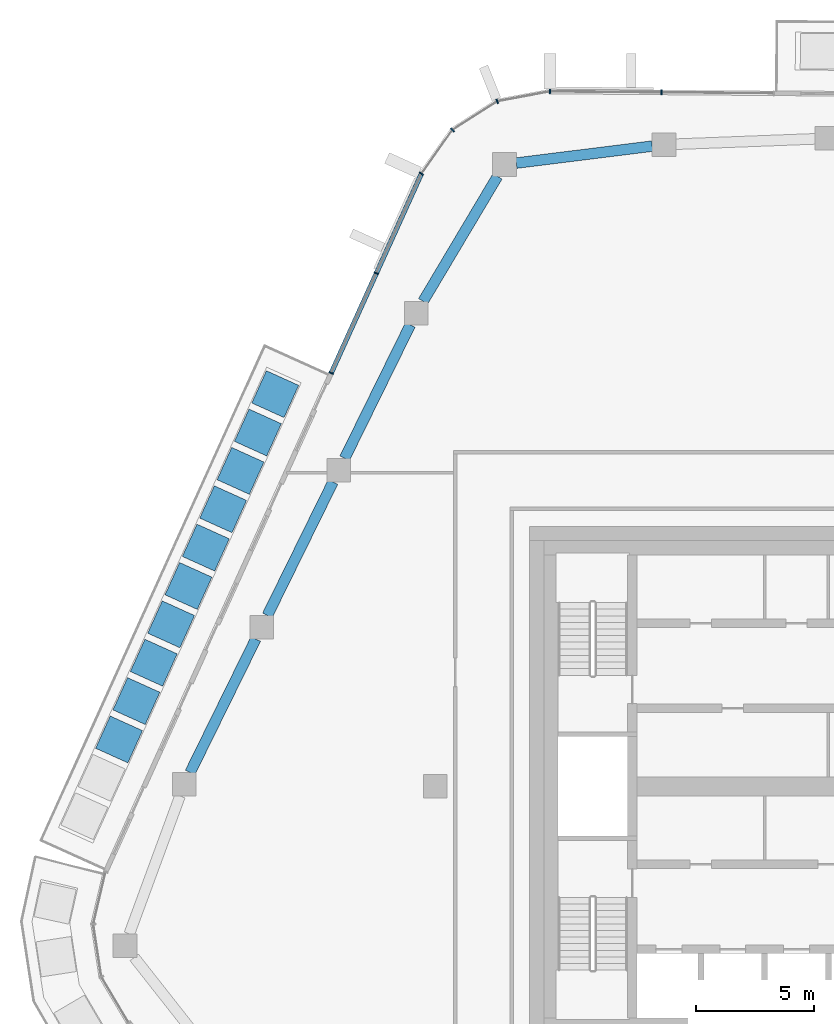
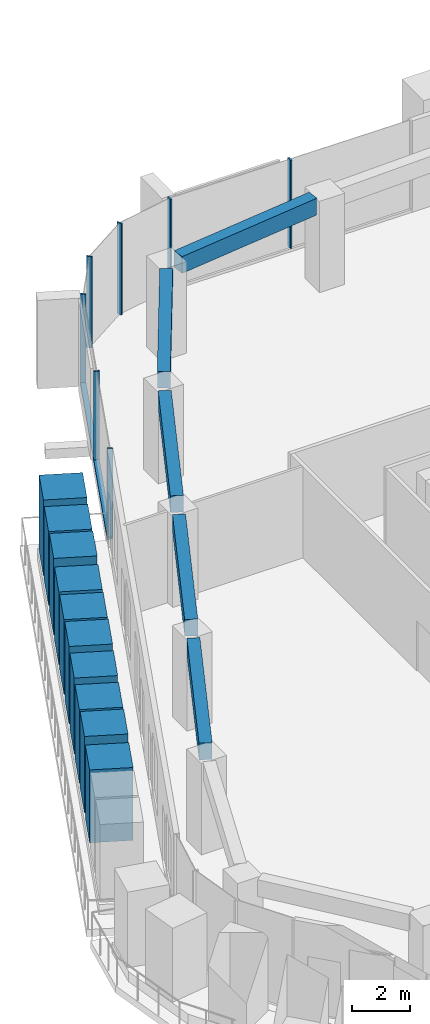
# One storey, part 6 of 23: 18 members, 5 beams, 3 elements without a shape of their own.
"""IFC4 building model written with IfcOpenShell, lengths in metres."""

from ifc_helpers import new_model, si_unit, direction, frame, origin, origin_2d, place, context, subcontext, project, spatial, rectangle, extrude, material, layer, layer_set, material_profile, profile_set, type_object, element, aggregate, save


model = new_model("IFC4")

# Units and contexts
model_context = context("Model", 3, precision=1e-05, world=origin(), true_north=direction((0.0, 1.0)))
body_context = subcontext(model_context, "Body", "Model", "MODEL_VIEW")
ifc_project = project(units=[si_unit("LENGTHUNIT", "METRE"), si_unit("AREAUNIT", "SQUARE_METRE"), si_unit("VOLUMEUNIT", "CUBIC_METRE"), si_unit("PLANEANGLEUNIT", "RADIAN"), si_unit("MASSUNIT", "GRAM", prefix="KILO")], contexts=[model_context])

# Site, building, storey
site_placement = place(None, origin())
site = spatial("IfcSite", under=ifc_project, at=site_placement, CompositionType="ELEMENT")
building_placement = place(site_placement, origin())
building = spatial("IfcBuilding", under=site, at=building_placement, Name="Dongbaek Canopy Tower", CompositionType="ELEMENT")
storey_placement = place(building_placement, frame((0.0, 0.0, 323.60009765625)))
storey = spatial("IfcBuildingStorey", under=building, at=storey_placement, Name="L69", CompositionType="ELEMENT", Elevation=323.60009765625)

# Curtain wall, members
ifc_material_1 = material(Name="Aluminium 6063-T6 pale anodised", Category="aluminium")
ifc_layer = layer(ifc_material_1, 0.199951171875)
ifc_layer_set = layer_set([ifc_layer], Name="CW-1 unitised tower curtain wall")
curtain_wall_type = type_object("IfcCurtainWallType", Name="CW-1 unitised tower curtain wall", PredefinedType="NOTDEFINED", material=ifc_layer_set)
curtain_wall_1_placement = place(storey_placement, origin())
curtain_wall_1 = element("IfcCurtainWall", 1, at=curtain_wall_1_placement, inside=storey, type_object=curtain_wall_type, Name="CW-1 curtain wall F1.1", PredefinedType="NOTDEFINED")
ifc_material_2 = material(Name="Aluminium 6063-T6 pale anodised", Category="aluminium")
ifc_material_profile_1 = material_profile(ifc_material_2, rectangle(XDim=0.199951171875, YDim=0.06005859375, at=origin_2d()), Name="CW-1 mullion 60 x 200")
ifc_profile_set_1 = profile_set([ifc_material_profile_1], Name="Aluminium 6063-T6 pale anodised")
member_type_1 = type_object("IfcMemberType", Name="CW-1 mullion 60 x 200", PredefinedType="MULLION", material=ifc_profile_set_1)
member_1_placement = place(storey_placement, frame((-8.4091796875, 29.378173828125, 0.119873046875), z_axis=(0.0, 0.0, 1.0), x_axis=(0.007781807363, 0.999969721279, 0.0)))
member_1 = element("IfcMember", 2, at=member_1_placement, type_object=member_type_1, Name="CW-1 mullion F1.1.2", PredefinedType="MULLION", context=body_context, shape_type="SweptSolid", body=[
    extrude(rectangle(XDim=0.199951171875, YDim=0.06005859375, at=origin_2d()), origin(), (0.0, 0.0, 1.0), 3.699951171875),
])
member_2_placement = place(storey_placement, frame((-13.144775390625, 29.4150390625, 0.119873046875), z_axis=(0.0, 0.0, 1.0), x_axis=(0.007781807363, 0.999969721279, 0.0)))
member_2 = element("IfcMember", 3, at=member_2_placement, type_object=member_type_1, Name="CW-1 mullion F1.1.3", PredefinedType="MULLION", context=body_context, shape_type="SweptSolid", body=[
    extrude(rectangle(XDim=0.199951171875, YDim=0.06005859375, at=origin_2d()), origin(), (0.0, 0.0, 1.0), 3.699951171875),
])
aggregate(curtain_wall_1, [member_1, member_2])

curtain_wall_2_placement = place(storey_placement, origin())
curtain_wall_2 = element("IfcCurtainWall", 4, at=curtain_wall_2_placement, inside=storey, type_object=curtain_wall_type, Name="CW-1 curtain wall K2.1", PredefinedType="NOTDEFINED")
member_3_placement = place(storey_placement, frame((-15.37060546875, 28.99951171875, 0.0), z_axis=(0.0, 0.0, 1.0), x_axis=(-0.367962491797, 0.929840633996, 0.0)))
member_3 = element("IfcMember", 5, at=member_3_placement, type_object=member_type_1, Name="CW-1 mullion K2.1.2", PredefinedType="MULLION", context=body_context, shape_type="SweptSolid", body=[
    extrude(rectangle(XDim=0.199951171875, YDim=0.06005859375, at=origin_2d()), origin(), (0.0, 0.0, 1.0), 3.81982421875),
])
member_4_placement = place(storey_placement, frame((-17.269775390625, 27.78466796875, 0.0), z_axis=(0.0, 0.0, 1.0), x_axis=(-0.689946783833, 0.723860093857, 0.0)))
member_4 = element("IfcMember", 6, at=member_4_placement, type_object=member_type_1, Name="CW-1 mullion K2.1.3", PredefinedType="MULLION", context=body_context, shape_type="SweptSolid", body=[
    extrude(rectangle(XDim=0.199951171875, YDim=0.06005859375, at=origin_2d()), origin(), (0.0, 0.0, 1.0), 3.81982421875),
])
member_5_placement = place(storey_placement, frame((-18.580078125, 25.93798828125, 0.0), z_axis=(0.0, 0.0, 1.0), x_axis=(-0.815570774444, 0.578657335452, 0.0)))
member_5 = element("IfcMember", 7, at=member_5_placement, type_object=member_type_1, Name="CW-1 mullion K2.1.4", PredefinedType="MULLION", context=body_context, shape_type="SweptSolid", body=[
    extrude(rectangle(XDim=0.199951171875, YDim=0.06005859375, at=origin_2d()), origin(), (0.0, 0.0, 1.0), 3.81982421875),
])
aggregate(curtain_wall_2, [member_3, member_4, member_5])

curtain_wall_3_placement = place(storey_placement, origin())
curtain_wall_3 = element("IfcCurtainWall", 8, at=curtain_wall_3_placement, inside=storey, type_object=curtain_wall_type, Name="CW-1 curtain wall F2.1", PredefinedType="NOTDEFINED")
member_6_placement = place(storey_placement, frame((-20.487548828125, 21.720947265625, 0.119873046875), z_axis=(0.0, 0.0, 1.0), x_axis=(-0.911128562459, 0.412122242389, 0.0)))
member_6 = element("IfcMember", 9, at=member_6_placement, type_object=member_type_1, Name="CW-1 mullion F2.1.2", PredefinedType="MULLION", context=body_context, shape_type="SweptSolid", body=[
    extrude(rectangle(XDim=0.199951171875, YDim=0.06005859375, at=origin_2d()), origin(), (0.0, 0.0, 1.0), 3.699951171875),
])
member_7_placement = place(storey_placement, frame((-22.39892578125, 17.4951171875, 0.119873046875), z_axis=(0.0, 0.0, 1.0), x_axis=(-0.911128562459, 0.412122242389, 0.0)))
member_7 = element("IfcMember", 10, at=member_7_placement, type_object=member_type_1, Name="CW-1 mullion F2.1.3", PredefinedType="MULLION", context=body_context, shape_type="SweptSolid", body=[
    extrude(rectangle(XDim=0.199951171875, YDim=0.06005859375, at=origin_2d()), origin(), (0.0, 0.0, 1.0), 3.699951171875),
])
ifc_material_3 = material(Name="Aluminium 6063-T6 pale anodised", Category="aluminium")
ifc_material_profile_2 = material_profile(ifc_material_3, rectangle(XDim=0.199951171875, YDim=0.1201171875, at=origin_2d()), Name="CW-1 transom 120 x 200")
ifc_profile_set_2 = profile_set([ifc_material_profile_2], Name="Aluminium 6063-T6 pale anodised")
member_type_2 = type_object("IfcMemberType", Name="CW-1 transom 120 x 200", PredefinedType="USERDEFINED", material=ifc_profile_set_2)
member_8_placement = place(storey_placement, frame((-18.580078125, 25.93798828125, 0.059814453125), z_axis=(-0.412118919736, -0.911130065356, 0.0), x_axis=(0.911130065356, -0.412118919736, 0.0)))
member_8 = element("IfcMember", 11, at=member_8_placement, type_object=member_type_2, Name="CW-1 transom F2.1.1", ObjectType="TRANSOM", PredefinedType="USERDEFINED", context=body_context, shape_type="SweptSolid", body=[
    extrude(rectangle(XDim=0.199951171875, YDim=0.1201171875, at=origin_2d()), origin(), (0.0, 0.0, 1.0), 9.266357421875),
])
aggregate(curtain_wall_3, [member_6, member_7, member_8])

# Beams
ifc_material_4 = material(Name="Concrete C60", Category="concrete")
ifc_material_profile_3 = material_profile(ifc_material_4, rectangle(XDim=0.449951171875, YDim=0.699951171875, at=origin_2d()), Name="RC EDGE BEAM 450x700 C60")
ifc_profile_set_3 = profile_set([ifc_material_profile_3], Name="Concrete C60")
beam_type = type_object("IfcBeamType", Name="RC EDGE BEAM 450x700 C60", PredefinedType="BEAM", material=ifc_profile_set_3)
for number, where, z_axis, x_axis, name in (
    (12, (-28.37109375, 0.5859375, 3.469970703125), (0.441293546446, 0.897362806152, 0.0), (-0.897362806152, 0.441293546446, 0.0), "EDGEBEAM:L69:09"),
    (13, (-25.10107421875, 7.235107421875, 3.469970703125), (0.441433810223, 0.897293815421, 0.0), (-0.897293815421, 0.441433810223, 0.0), "EDGEBEAM:L69:10"),
):
    element("IfcBeam", number, at=place(storey_placement, frame(where, z_axis=z_axis, x_axis=x_axis)), inside=storey, type_object=beam_type, Name=name, PredefinedType="BEAM", context=body_context, shape_type="SweptSolid", body=[
        extrude(rectangle(XDim=0.449951171875, YDim=0.699951171875, at=origin_2d()), origin(), (0.0, 0.0, 1.0), 6.29541015625),
    ])
beam_1_placement = place(storey_placement, frame((-21.830078125, 13.884033203125, 3.469970703125), z_axis=(0.441370345445, 0.897325034846, 0.0), x_axis=(-0.897325034846, 0.441370345445, 0.0)))
element("IfcBeam", 14, at=beam_1_placement, inside=storey, type_object=beam_type, Name="EDGEBEAM:L69:11", PredefinedType="BEAM", context=body_context, shape_type="SweptSolid", body=[
    extrude(rectangle(XDim=0.449951171875, YDim=0.699951171875, at=origin_2d()), origin(), (0.0, 0.0, 1.0), 6.294189453125),
])
beam_2_placement = place(storey_placement, frame((-18.50830078125, 20.531982421875, 3.469970703125), z_axis=(0.511535459107, 0.859262168419, 0.0), x_axis=(-0.859262168419, 0.511535459107, 0.0)))
element("IfcBeam", 15, at=beam_2_placement, inside=storey, type_object=beam_type, Name="EDGEBEAM:L69:12", PredefinedType="BEAM", context=body_context, shape_type="SweptSolid", body=[
    extrude(rectangle(XDim=0.449951171875, YDim=0.699951171875, at=origin_2d()), origin(), (0.0, 0.0, 1.0), 6.1552734375),
])
beam_3_placement = place(storey_placement, frame((-14.56201171875, 26.38330078125, 3.469970703125), z_axis=(0.992296006086, 0.123889613389, 0.0), x_axis=(-0.123889613389, 0.992296006086, 0.0)))
element("IfcBeam", 16, at=beam_3_placement, inside=storey, type_object=beam_type, Name="EDGEBEAM:L69:13", PredefinedType="BEAM", context=body_context, shape_type="SweptSolid", body=[
    extrude(rectangle(XDim=0.449951171875, YDim=0.699951171875, at=origin_2d()), origin(), (0.0, 0.0, 1.0), 5.797607421875),
])

# Members
ifc_material_5 = material(Name="Concrete C40/50 planter mass with planting", Category="concrete")
ifc_material_profile_4 = material_profile(ifc_material_5, rectangle(XDim=1.5, YDim=1.5, at=origin_2d()), Name="Terrace PLANTER shrub mass 1500 x 1500")
ifc_profile_set_4 = profile_set([ifc_material_profile_4], Name="Concrete C40/50 planter mass with planting")
member_type_3 = type_object("IfcMemberType", Name="Terrace PLANTER shrub mass 1500 x 1500", PredefinedType="USERDEFINED", material=ifc_profile_set_4)
member_9_placement = place(storey_placement, frame((-24.76806640625, 16.6005859375, 0.419921875), z_axis=(0.0, 0.0, 1.0), x_axis=(-0.911128562459, 0.412122242389, 0.0)))
element("IfcMember", 17, at=member_9_placement, inside=storey, type_object=member_type_3, Name="Planter shrubs L69 2.1", ObjectType="PLANTER", PredefinedType="USERDEFINED", context=body_context, shape_type="SweptSolid", body=[
    extrude(rectangle(XDim=1.5, YDim=1.5, at=origin_2d()), origin(), (0.0, 0.0, 1.0), 3.169921875),
])
member_10_placement = place(storey_placement, frame((-25.502685546875, 14.9765625, 0.419921875), z_axis=(0.0, 0.0, 1.0), x_axis=(-0.911128562459, 0.412122242389, 0.0)))
element("IfcMember", 18, at=member_10_placement, inside=storey, type_object=member_type_3, Name="Planter shrubs L69 2.2", ObjectType="PLANTER", PredefinedType="USERDEFINED", context=body_context, shape_type="SweptSolid", body=[
    extrude(rectangle(XDim=1.5, YDim=1.5, at=origin_2d()), origin(), (0.0, 0.0, 1.0), 3.090087890625),
])
member_11_placement = place(storey_placement, frame((-26.2373046875, 13.3525390625, 0.419921875), z_axis=(0.0, 0.0, 1.0), x_axis=(-0.911128562459, 0.412122242389, 0.0)))
element("IfcMember", 19, at=member_11_placement, inside=storey, type_object=member_type_3, Name="Planter shrubs L69 2.3", ObjectType="PLANTER", PredefinedType="USERDEFINED", context=body_context, shape_type="SweptSolid", body=[
    extrude(rectangle(XDim=1.5, YDim=1.5, at=origin_2d()), origin(), (0.0, 0.0, 1.0), 3.2099609375),
])
member_12_placement = place(storey_placement, frame((-26.971923828125, 11.728515625, 0.419921875), z_axis=(0.0, 0.0, 1.0), x_axis=(-0.911128562459, 0.412122242389, 0.0)))
element("IfcMember", 20, at=member_12_placement, inside=storey, type_object=member_type_3, Name="Planter shrubs L69 2.4", ObjectType="PLANTER", PredefinedType="USERDEFINED", context=body_context, shape_type="SweptSolid", body=[
    extrude(rectangle(XDim=1.5, YDim=1.5, at=origin_2d()), origin(), (0.0, 0.0, 1.0), 3.050048828125),
])
member_13_placement = place(storey_placement, frame((-27.70654296875, 10.104248046875, 0.419921875), z_axis=(0.0, 0.0, 1.0), x_axis=(-0.911128562459, 0.412122242389, 0.0)))
element("IfcMember", 21, at=member_13_placement, inside=storey, type_object=member_type_3, Name="Planter shrubs L69 2.5", ObjectType="PLANTER", PredefinedType="USERDEFINED", context=body_context, shape_type="SweptSolid", body=[
    extrude(rectangle(XDim=1.5, YDim=1.5, at=origin_2d()), origin(), (0.0, 0.0, 1.0), 3.1298828125),
])
member_14_placement = place(storey_placement, frame((-28.441162109375, 8.480224609375, 0.419921875), z_axis=(0.0, 0.0, 1.0), x_axis=(-0.911128562459, 0.412122242389, 0.0)))
element("IfcMember", 22, at=member_14_placement, inside=storey, type_object=member_type_3, Name="Planter shrubs L69 2.6", ObjectType="PLANTER", PredefinedType="USERDEFINED", context=body_context, shape_type="SweptSolid", body=[
    extrude(rectangle(XDim=1.5, YDim=1.5, at=origin_2d()), origin(), (0.0, 0.0, 1.0), 3.25),
])
member_15_placement = place(storey_placement, frame((-29.17578125, 6.856201171875, 0.419921875), z_axis=(0.0, 0.0, 1.0), x_axis=(-0.911128562459, 0.412122242389, 0.0)))
element("IfcMember", 23, at=member_15_placement, inside=storey, type_object=member_type_3, Name="Planter shrubs L69 2.7", ObjectType="PLANTER", PredefinedType="USERDEFINED", context=body_context, shape_type="SweptSolid", body=[
    extrude(rectangle(XDim=1.5, YDim=1.5, at=origin_2d()), origin(), (0.0, 0.0, 1.0), 3.169921875),
])
member_16_placement = place(storey_placement, frame((-29.910400390625, 5.23193359375, 0.419921875), z_axis=(0.0, 0.0, 1.0), x_axis=(-0.911128562459, 0.412122242389, 0.0)))
element("IfcMember", 24, at=member_16_placement, inside=storey, type_object=member_type_3, Name="Planter shrubs L69 2.8", ObjectType="PLANTER", PredefinedType="USERDEFINED", context=body_context, shape_type="SweptSolid", body=[
    extrude(rectangle(XDim=1.5, YDim=1.5, at=origin_2d()), origin(), (0.0, 0.0, 1.0), 3.090087890625),
])
member_17_placement = place(storey_placement, frame((-30.64501953125, 3.60791015625, 0.419921875), z_axis=(0.0, 0.0, 1.0), x_axis=(-0.911128562459, 0.412122242389, 0.0)))
element("IfcMember", 25, at=member_17_placement, inside=storey, type_object=member_type_3, Name="Planter shrubs L69 2.9", ObjectType="PLANTER", PredefinedType="USERDEFINED", context=body_context, shape_type="SweptSolid", body=[
    extrude(rectangle(XDim=1.5, YDim=1.5, at=origin_2d()), origin(), (0.0, 0.0, 1.0), 3.2099609375),
])
member_18_placement = place(storey_placement, frame((-31.379638671875, 1.98388671875, 0.419921875), z_axis=(0.0, 0.0, 1.0), x_axis=(-0.911128562459, 0.412122242389, 0.0)))
element("IfcMember", 26, at=member_18_placement, inside=storey, type_object=member_type_3, Name="Planter shrubs L69 2.10", ObjectType="PLANTER", PredefinedType="USERDEFINED", context=body_context, shape_type="SweptSolid", body=[
    extrude(rectangle(XDim=1.5, YDim=1.5, at=origin_2d()), origin(), (0.0, 0.0, 1.0), 3.050048828125),
])

save(model, "model.ifc")
